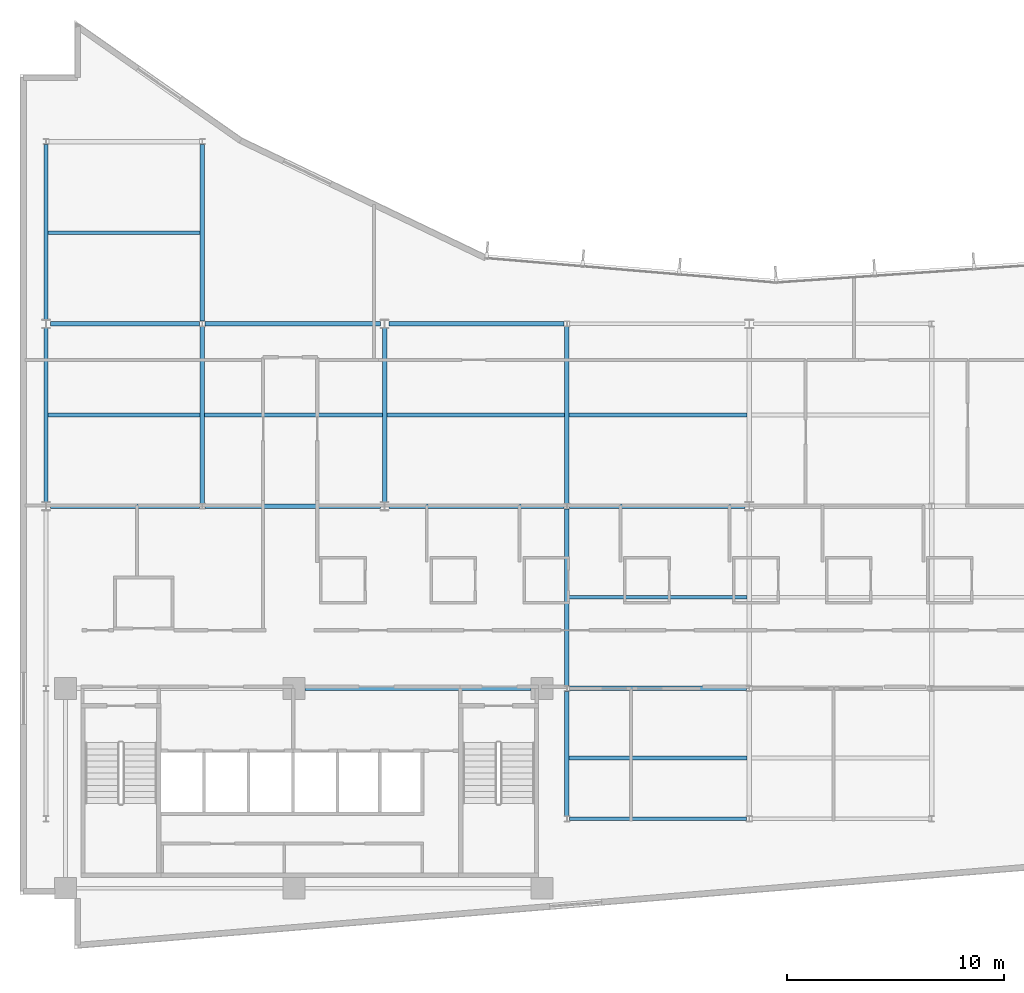
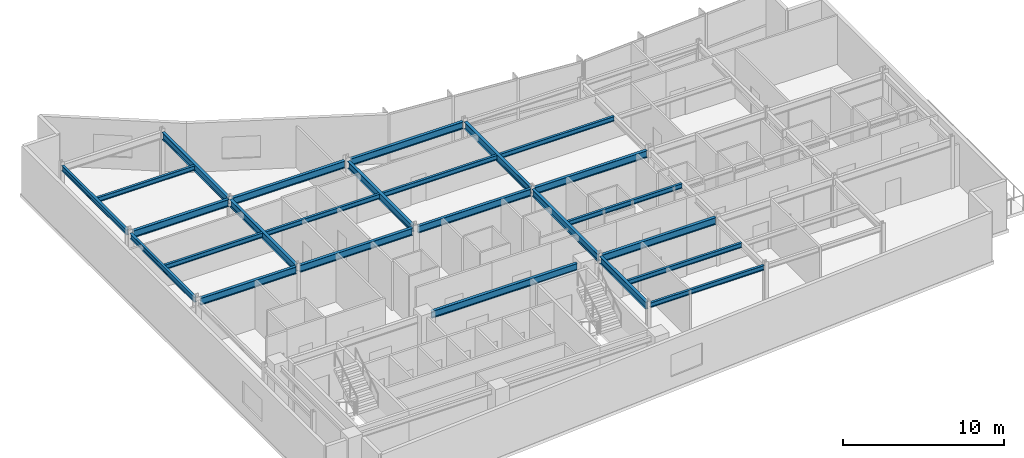
# One storey, part 4 of 15: 25 beams.
"""IFC4 building model written with IfcOpenShell, lengths in metres."""

from ifc_helpers import new_model, si_unit, direction, frame, origin, origin_2d, place, context, subcontext, project, spatial, i_section, extrude, material, material_profile, profile_set, type_object, element, save


model = new_model("IFC4")

# Units and contexts
model_context = context("Model", 3, precision=1e-05, world=origin(), true_north=direction((0.0, 1.0)))
body_context = subcontext(model_context, "Body", "Model", "MODEL_VIEW")
ifc_project = project(units=[si_unit("LENGTHUNIT", "METRE"), si_unit("AREAUNIT", "SQUARE_METRE"), si_unit("VOLUMEUNIT", "CUBIC_METRE"), si_unit("PLANEANGLEUNIT", "RADIAN"), si_unit("MASSUNIT", "GRAM", prefix="KILO")], contexts=[model_context])

# Site, building, storey
site_placement = place(None, origin())
site = spatial("IfcSite", under=ifc_project, at=site_placement, CompositionType="ELEMENT")
building_placement = place(site_placement, origin())
building = spatial("IfcBuilding", under=site, at=building_placement, Name="Varnakote Quay Hospital", CompositionType="ELEMENT")
storey_placement = place(building_placement, frame((0.0, 0.0, 192.10009765625)))
storey = spatial("IfcBuildingStorey", under=building, at=storey_placement, Name="L47", CompositionType="ELEMENT", Elevation=192.10009765625)

# Beams
ifc_material_1 = material(Name="Structural steel AS/NZS 3679.1 Grade 350 L0 (fy 340 MPa)", Category="steel")
ifc_material_profile_1 = material_profile(ifc_material_1, i_section(OverallWidth=0.208984375, OverallDepth=0.532958984375, WebThickness=0.01025390625, FlangeThickness=0.015625, FilletRadius=0.013916015625, at=origin_2d()), Name="530UB92.4")
ifc_profile_set_1 = profile_set([ifc_material_profile_1], Name="Structural steel AS/NZS 3679.1 Grade 350 L0 (fy 340 MPa)")
beam_type_1 = type_object("IfcBeamType", Name="BM-STL-530UB92-4", PredefinedType="BEAM", material=ifc_profile_set_1)
beam_1_placement = place(storey_placement, frame((13.1201171875, 12.0, 3.443359375), z_axis=(1.0, 0.0, 0.0), x_axis=(0.0, 1.0, 0.0)))
element("IfcBeam", 1, at=beam_1_placement, inside=storey, type_object=beam_type_1, Name="L47 Primary Floor Beam", PredefinedType="BEAM", context=body_context, shape_type="SweptSolid", body=[
    extrude(i_section(OverallWidth=0.208984375, OverallDepth=0.532958984375, WebThickness=0.01025390625, FlangeThickness=0.015625, FilletRadius=0.013916015625, at=origin_2d()), origin(), (0.0, 0.0, 1.0), 10.429931640625),
])
beam_2_placement = place(storey_placement, frame((25.327880859375, 12.0, 3.443359375), z_axis=(1.0, 0.0, 0.0), x_axis=(0.0, 1.0, 0.0)))
element("IfcBeam", 2, at=beam_2_placement, inside=storey, type_object=beam_type_1, Name="L47 Primary Floor Beam", PredefinedType="BEAM", context=body_context, shape_type="SweptSolid", body=[
    extrude(i_section(OverallWidth=0.208984375, OverallDepth=0.532958984375, WebThickness=0.01025390625, FlangeThickness=0.015625, FilletRadius=0.013916015625, at=origin_2d()), origin(), (0.0, 0.0, 1.0), 8.14404296875),
])
beam_3_placement = place(storey_placement, frame((1.39990234375, 20.39990234375, 3.443359375), z_axis=(1.0, 0.0, 0.0), x_axis=(0.0, 1.0, 0.0)))
element("IfcBeam", 3, at=beam_3_placement, inside=storey, type_object=beam_type_1, Name="L47 Primary Floor Beam", PredefinedType="BEAM", context=body_context, shape_type="SweptSolid", body=[
    extrude(i_section(OverallWidth=0.208984375, OverallDepth=0.532958984375, WebThickness=0.01025390625, FlangeThickness=0.015625, FilletRadius=0.013916015625, at=origin_2d()), origin(), (0.0, 0.0, 1.0), 6.8720703125),
])
for number, where, z_axis, x_axis, name in (
    (4, (8.528076171875, 20.39990234375, 3.443359375), (1.0, 0.0, 0.0), (0.0, 1.0, 0.0), "L47 Primary Floor Beam"),
    (5, (17.0, 20.39990234375, 3.443359375), (1.0, 0.0, 0.0), (0.0, 1.0, 0.0), "L47 Primary Floor Beam"),
    (6, (25.327880859375, 20.39990234375, 3.443359375), (1.0, 0.0, 0.0), (0.0, 1.0, 0.0), "L47 Primary Floor Beam"),
):
    element("IfcBeam", number, at=place(storey_placement, frame(where, z_axis=z_axis, x_axis=x_axis)), inside=storey, type_object=beam_type_1, Name=name, PredefinedType="BEAM", context=body_context, shape_type="SweptSolid", body=[
        extrude(i_section(OverallWidth=0.208984375, OverallDepth=0.532958984375, WebThickness=0.01025390625, FlangeThickness=0.015625, FilletRadius=0.013916015625, at=origin_2d()), origin(), (0.0, 0.0, 1.0), 8.072021484375),
    ])
beam_4_placement = place(storey_placement, frame((1.39990234375, 28.800048828125, 3.443359375), z_axis=(1.0, 0.0, 0.0), x_axis=(0.0, 1.0, 0.0)))
element("IfcBeam", 7, at=beam_4_placement, inside=storey, type_object=beam_type_1, Name="L47 Primary Floor Beam", PredefinedType="BEAM", context=body_context, shape_type="SweptSolid", body=[
    extrude(i_section(OverallWidth=0.208984375, OverallDepth=0.532958984375, WebThickness=0.01025390625, FlangeThickness=0.015625, FilletRadius=0.013916015625, at=origin_2d()), origin(), (0.0, 0.0, 1.0), 6.8720703125),
])
for number, where, z_axis, x_axis, name in (
    (8, (8.528076171875, 28.800048828125, 3.443359375), (1.0, 0.0, 0.0), (0.0, 1.0, 0.0), "L47 Primary Floor Beam"),
    (9, (17.0, 28.800048828125, 3.443359375), (1.0, 0.0, 0.0), (0.0, 1.0, 0.0), "L47 Primary Floor Beam"),
):
    element("IfcBeam", number, at=place(storey_placement, frame(where, z_axis=z_axis, x_axis=x_axis)), inside=storey, type_object=beam_type_1, Name=name, PredefinedType="BEAM", context=body_context, shape_type="SweptSolid", body=[
        extrude(i_section(OverallWidth=0.208984375, OverallDepth=0.532958984375, WebThickness=0.01025390625, FlangeThickness=0.015625, FilletRadius=0.013916015625, at=origin_2d()), origin(), (0.0, 0.0, 1.0), 8.072021484375),
    ])
beam_5_placement = place(storey_placement, frame((8.39990234375, 20.530029296875, 3.443359375), z_axis=(0.0, 1.0, 0.0), x_axis=(-1.0, 0.0, 0.0)))
element("IfcBeam", 10, at=beam_5_placement, inside=storey, type_object=beam_type_1, Name="L47 Primary Tie Beam", PredefinedType="BEAM", context=body_context, shape_type="SweptSolid", body=[
    extrude(i_section(OverallWidth=0.208984375, OverallDepth=0.532958984375, WebThickness=0.01025390625, FlangeThickness=0.015625, FilletRadius=0.013916015625, at=origin_2d()), origin(), (0.0, 0.0, 1.0), 8.139892578125),
])
beam_6_placement = place(storey_placement, frame((8.39990234375, 28.929931640625, 3.443359375), z_axis=(0.0, 1.0, 0.0), x_axis=(-1.0, 0.0, 0.0)))
element("IfcBeam", 11, at=beam_6_placement, inside=storey, type_object=beam_type_1, Name="L47 Primary Tie Beam", PredefinedType="BEAM", context=body_context, shape_type="SweptSolid", body=[
    extrude(i_section(OverallWidth=0.208984375, OverallDepth=0.532958984375, WebThickness=0.01025390625, FlangeThickness=0.015625, FilletRadius=0.013916015625, at=origin_2d()), origin(), (0.0, 0.0, 1.0), 8.14013671875),
])
beam_7_placement = place(storey_placement, frame((16.800048828125, 20.60205078125, 3.443359375), z_axis=(0.0, 1.0, 0.0), x_axis=(-1.0, 0.0, 0.0)))
element("IfcBeam", 12, at=beam_7_placement, inside=storey, type_object=beam_type_1, Name="L47 Primary Tie Beam", PredefinedType="BEAM", context=body_context, shape_type="SweptSolid", body=[
    extrude(i_section(OverallWidth=0.208984375, OverallDepth=0.532958984375, WebThickness=0.01025390625, FlangeThickness=0.015625, FilletRadius=0.013916015625, at=origin_2d()), origin(), (0.0, 0.0, 1.0), 7.995849609375),
])
beam_8_placement = place(storey_placement, frame((25.199951171875, 6.1298828125, 3.443359375), z_axis=(0.0, 1.0, 0.0), x_axis=(-1.0, 0.0, 0.0)))
element("IfcBeam", 13, at=beam_8_placement, inside=storey, type_object=beam_type_1, Name="L47 Primary Tie Beam", PredefinedType="BEAM", context=body_context, shape_type="SweptSolid", body=[
    extrude(i_section(OverallWidth=0.208984375, OverallDepth=0.532958984375, WebThickness=0.01025390625, FlangeThickness=0.015625, FilletRadius=0.013916015625, at=origin_2d()), origin(), (0.0, 0.0, 1.0), 5.740234375),
])
beam_9_placement = place(storey_placement, frame((25.199951171875, 12.1298828125, 3.443359375), z_axis=(0.0, 1.0, 0.0), x_axis=(-1.0, 0.0, 0.0)))
element("IfcBeam", 14, at=beam_9_placement, inside=storey, type_object=beam_type_1, Name="L47 Primary Tie Beam", PredefinedType="BEAM", context=body_context, shape_type="SweptSolid", body=[
    extrude(i_section(OverallWidth=0.208984375, OverallDepth=0.532958984375, WebThickness=0.01025390625, FlangeThickness=0.015625, FilletRadius=0.013916015625, at=origin_2d()), origin(), (0.0, 0.0, 1.0), 8.14013671875),
])
beam_10_placement = place(storey_placement, frame((25.199951171875, 20.530029296875, 3.443359375), z_axis=(0.0, 1.0, 0.0), x_axis=(-1.0, 0.0, 0.0)))
element("IfcBeam", 15, at=beam_10_placement, inside=storey, type_object=beam_type_1, Name="L47 Primary Tie Beam", PredefinedType="BEAM", context=body_context, shape_type="SweptSolid", body=[
    extrude(i_section(OverallWidth=0.208984375, OverallDepth=0.532958984375, WebThickness=0.01025390625, FlangeThickness=0.015625, FilletRadius=0.013916015625, at=origin_2d()), origin(), (0.0, 0.0, 1.0), 8.139892578125),
])
ifc_material_2 = material(Name="Structural steel AS/NZS 3679.1 Grade 350 L0 (fy 340 MPa)", Category="steel")
ifc_material_profile_2 = material_profile(ifc_material_2, i_section(OverallWidth=0.1708984375, OverallDepth=0.35595703125, WebThickness=0.00732421875, FlangeThickness=0.011474609375, FilletRadius=0.011474609375, at=origin_2d()), Name="360UB50.7")
ifc_profile_set_2 = profile_set([ifc_material_profile_2], Name="Structural steel AS/NZS 3679.1 Grade 350 L0 (fy 340 MPa)")
beam_type_2 = type_object("IfcBeamType", Name="JST-STL-360UB50-7", PredefinedType="JOIST", material=ifc_profile_set_2)
for number, where, z_axis, x_axis, name in (
    (16, (25.304443359375, 8.800048828125, 3.531982421875), (1.0, 0.0, 0.0), (0.0, 1.0, 0.0), "L47 Composite Floor Joist"),
    (17, (25.304443359375, 16.199951171875, 3.531982421875), (1.0, 0.0, 0.0), (0.0, 1.0, 0.0), "L47 Composite Floor Joist"),
):
    element("IfcBeam", number, at=place(storey_placement, frame(where, z_axis=z_axis, x_axis=x_axis)), inside=storey, type_object=beam_type_2, Name=name, PredefinedType="JOIST", context=body_context, shape_type="SweptSolid", body=[
        extrude(i_section(OverallWidth=0.1708984375, OverallDepth=0.35595703125, WebThickness=0.00732421875, FlangeThickness=0.011474609375, FilletRadius=0.011474609375, at=origin_2d()), origin(), (0.0, 0.0, 1.0), 8.191162109375),
    ])
beam_11_placement = place(storey_placement, frame((1.2890625, 24.60009765625, 3.531982421875), z_axis=(1.0, 0.0, 0.0), x_axis=(0.0, 1.0, 0.0)))
element("IfcBeam", 18, at=beam_11_placement, inside=storey, type_object=beam_type_2, Name="L47 Composite Floor Joist", PredefinedType="JOIST", context=body_context, shape_type="SweptSolid", body=[
    extrude(i_section(OverallWidth=0.1708984375, OverallDepth=0.35595703125, WebThickness=0.00732421875, FlangeThickness=0.011474609375, FilletRadius=0.011474609375, at=origin_2d()), origin(), (0.0, 0.0, 1.0), 7.00634765625),
])
beam_12_placement = place(storey_placement, frame((8.50439453125, 24.60009765625, 3.531982421875), z_axis=(1.0, 0.0, 0.0), x_axis=(0.0, 1.0, 0.0)))
element("IfcBeam", 19, at=beam_12_placement, inside=storey, type_object=beam_type_2, Name="L47 Composite Floor Joist", PredefinedType="JOIST", context=body_context, shape_type="SweptSolid", body=[
    extrude(i_section(OverallWidth=0.1708984375, OverallDepth=0.35595703125, WebThickness=0.00732421875, FlangeThickness=0.011474609375, FilletRadius=0.011474609375, at=origin_2d()), origin(), (0.0, 0.0, 1.0), 8.191162109375),
])
beam_13_placement = place(storey_placement, frame((16.904541015625, 24.60009765625, 3.531982421875), z_axis=(1.0, 0.0, 0.0), x_axis=(0.0, 1.0, 0.0)))
element("IfcBeam", 20, at=beam_13_placement, inside=storey, type_object=beam_type_2, Name="L47 Composite Floor Joist", PredefinedType="JOIST", context=body_context, shape_type="SweptSolid", body=[
    extrude(i_section(OverallWidth=0.1708984375, OverallDepth=0.35595703125, WebThickness=0.00732421875, FlangeThickness=0.011474609375, FilletRadius=0.011474609375, at=origin_2d()), origin(), (0.0, 0.0, 1.0), 8.19091796875),
])
beam_14_placement = place(storey_placement, frame((25.304443359375, 24.60009765625, 3.531982421875), z_axis=(1.0, 0.0, 0.0), x_axis=(0.0, 1.0, 0.0)))
element("IfcBeam", 21, at=beam_14_placement, inside=storey, type_object=beam_type_2, Name="L47 Composite Floor Joist", PredefinedType="JOIST", context=body_context, shape_type="SweptSolid", body=[
    extrude(i_section(OverallWidth=0.1708984375, OverallDepth=0.35595703125, WebThickness=0.00732421875, FlangeThickness=0.011474609375, FilletRadius=0.011474609375, at=origin_2d()), origin(), (0.0, 0.0, 1.0), 8.191162109375),
])
beam_15_placement = place(storey_placement, frame((1.2890625, 33.0, 3.531982421875), z_axis=(1.0, 0.0, 0.0), x_axis=(0.0, 1.0, 0.0)))
element("IfcBeam", 22, at=beam_15_placement, inside=storey, type_object=beam_type_2, Name="L47 Composite Floor Joist", PredefinedType="JOIST", context=body_context, shape_type="SweptSolid", body=[
    extrude(i_section(OverallWidth=0.1708984375, OverallDepth=0.35595703125, WebThickness=0.00732421875, FlangeThickness=0.011474609375, FilletRadius=0.011474609375, at=origin_2d()), origin(), (0.0, 0.0, 1.0), 7.00634765625),
])
ifc_material_3 = material(Name="Structural steel AS/NZS 3679.1 Grade 350 L0 (fy 340 MPa)", Category="steel")
ifc_material_profile_3 = material_profile(ifc_material_3, i_section(OverallWidth=0.172119140625, OverallDepth=0.35888671875, WebThickness=0.008056640625, FlangeThickness=0.012939453125, FilletRadius=0.011474609375, at=origin_2d()), Name="360UB56.7")
ifc_profile_set_3 = profile_set([ifc_material_profile_3], Name="Structural steel AS/NZS 3679.1 Grade 350 L0 (fy 340 MPa)")
beam_type_3 = type_object("IfcBeamType", Name="SPN-STL-360UB56-7", PredefinedType="SPANDREL", material=ifc_profile_set_3)
beam_16_placement = place(storey_placement, frame((25.327880859375, 6.0, 3.530517578125), z_axis=(1.0, 0.0, 0.0), x_axis=(0.0, 1.0, 0.0)))
element("IfcBeam", 23, at=beam_16_placement, inside=storey, type_object=beam_type_3, Name="L47 Perimeter Spandrel Beam", PredefinedType="SPANDREL", context=body_context, shape_type="SweptSolid", body=[
    extrude(i_section(OverallWidth=0.172119140625, OverallDepth=0.35888671875, WebThickness=0.008056640625, FlangeThickness=0.012939453125, FilletRadius=0.011474609375, at=origin_2d()), origin(), (0.0, 0.0, 1.0), 8.14404296875),
])
ifc_material_4 = material(Name="Structural steel AS/NZS 3679.1 Grade 350 L0 (fy 340 MPa)", Category="steel")
ifc_material_profile_4 = material_profile(ifc_material_4, i_section(OverallWidth=0.177978515625, OverallDepth=0.403076171875, WebThickness=0.007568359375, FlangeThickness=0.010986328125, FilletRadius=0.011474609375, at=origin_2d()), Name="410UB53.7")
ifc_profile_set_4 = profile_set([ifc_material_profile_4], Name="Structural steel AS/NZS 3679.1 Grade 350 L0 (fy 340 MPa)")
beam_type_4 = type_object("IfcBeamType", Name="SPN-STL-410UB53-7", PredefinedType="SPANDREL", material=ifc_profile_set_4)
beam_17_placement = place(storey_placement, frame((1.199951171875, 20.60205078125, 3.50830078125), z_axis=(0.0, 1.0, 0.0), x_axis=(-1.0, 0.0, 0.0)))
element("IfcBeam", 24, at=beam_17_placement, inside=storey, type_object=beam_type_4, Name="L47 Perimeter Spandrel Beam", PredefinedType="SPANDREL", context=body_context, shape_type="SweptSolid", body=[
    extrude(i_section(OverallWidth=0.177978515625, OverallDepth=0.403076171875, WebThickness=0.007568359375, FlangeThickness=0.010986328125, FilletRadius=0.011474609375, at=origin_2d()), origin(), (0.0, 0.0, 1.0), 7.995849609375),
])
beam_18_placement = place(storey_placement, frame((1.199951171875, 29.001953125, 3.50830078125), z_axis=(0.0, 1.0, 0.0), x_axis=(-1.0, 0.0, 0.0)))
element("IfcBeam", 25, at=beam_18_placement, inside=storey, type_object=beam_type_4, Name="L47 Perimeter Spandrel Beam", PredefinedType="SPANDREL", context=body_context, shape_type="SweptSolid", body=[
    extrude(i_section(OverallWidth=0.177978515625, OverallDepth=0.403076171875, WebThickness=0.007568359375, FlangeThickness=0.010986328125, FilletRadius=0.011474609375, at=origin_2d()), origin(), (0.0, 0.0, 1.0), 8.068115234375),
])

save(model, "model.ifc")
